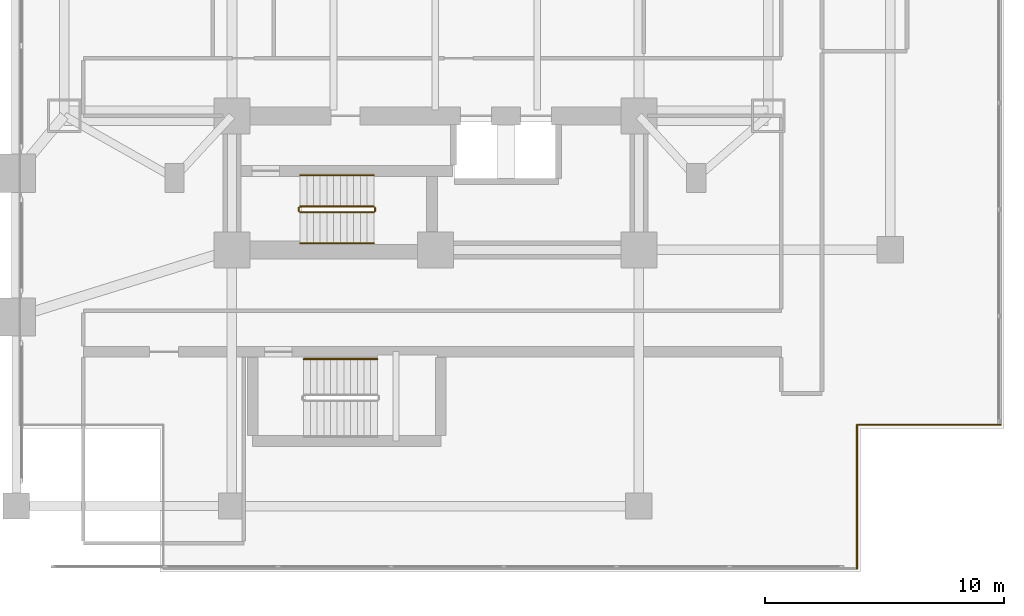
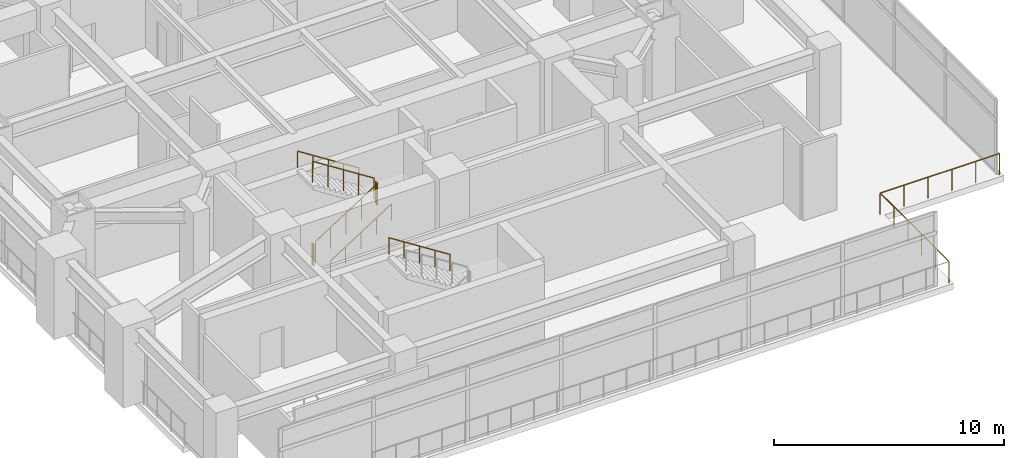
# One storey, part 28 of 31: 9 railings.
"""IFC4 building model written with IfcOpenShell, lengths in metres."""

from ifc_helpers import new_model, si_unit, direction, frame, origin, origin_2d, place, context, subcontext, project, spatial, circle, extrude, material, type_object, element, save


model = new_model("IFC4")

# Units and contexts
model_context = context("Model", 3, precision=1e-05, world=origin(), true_north=direction((0.0, 1.0)))
body_context = subcontext(model_context, "Body", "Model", "MODEL_VIEW")
ifc_project = project(units=[si_unit("LENGTHUNIT", "METRE"), si_unit("AREAUNIT", "SQUARE_METRE"), si_unit("VOLUMEUNIT", "CUBIC_METRE"), si_unit("PLANEANGLEUNIT", "RADIAN"), si_unit("MASSUNIT", "GRAM", prefix="KILO")], contexts=[model_context])

# Site, building, storey
site_placement = place(None, origin())
site = spatial("IfcSite", under=ifc_project, at=site_placement, CompositionType="ELEMENT")
building_placement = place(site_placement, origin())
building = spatial("IfcBuilding", under=site, at=building_placement, Name="Mirazonda Arch Towers", CompositionType="ELEMENT")
storey_placement = place(building_placement, frame((0.0, 0.0, 5.199951171875)))
storey = spatial("IfcBuildingStorey", under=building, at=storey_placement, Name="L01", CompositionType="ELEMENT", Elevation=5.199951171875)

# Railings
ifc_material = material(Name="Architectural Brushed Steel S355", Category="steel")
railing_type_1 = type_object("IfcRailingType", Name="GUARD-EXT-1150", PredefinedType="GUARDRAIL", material=ifc_material)
railing_1_placement = place(storey_placement, frame((94.110107421875, 1.889892578125, 0.0)))
element("IfcRailing", 1, at=railing_1_placement, inside=storey, type_object=railing_type_1, Name="L01 L01 East Podium Perimeter Guard 02", PredefinedType="GUARDRAIL", context=body_context, shape_type="SweptSolid", body=[
    extrude(circle(Radius=0.02392578125, at=origin_2d()), frame((0.0, 0.0, 1.1259765625), z_axis=(0.0, 1.0, 0.0), x_axis=(-1.0, 0.0, 0.0)), (0.0, 0.0, 1.0), 6.0),
    extrude(circle(Radius=0.02099609375, at=origin_2d()), origin(), (0.0, 0.0, 1.0), 1.101806640625),
    extrude(circle(Radius=0.02099609375, at=origin_2d()), frame((0.0, 1.199951171875, 0.0)), (0.0, 0.0, 1.0), 1.101806640625),
    extrude(circle(Radius=0.02099609375, at=origin_2d()), frame((0.0, 2.39990234375, 0.0)), (0.0, 0.0, 1.0), 1.101806640625),
    extrude(circle(Radius=0.02099609375, at=origin_2d()), frame((0.0, 3.60009765625, 0.0)), (0.0, 0.0, 1.0), 1.101806640625),
    extrude(circle(Radius=0.02099609375, at=origin_2d()), frame((0.0, 4.800048828125, 0.0)), (0.0, 0.0, 1.0), 1.101806640625),
    extrude(circle(Radius=0.02099609375, at=origin_2d()), frame((0.0, 6.0, 0.0)), (0.0, 0.0, 1.0), 1.101806640625),
])
railing_2_placement = place(storey_placement, frame((94.110107421875, 7.889892578125, 0.0)))
element("IfcRailing", 2, at=railing_2_placement, inside=storey, type_object=railing_type_1, Name="L01 L01 East Podium Perimeter Guard 03", PredefinedType="GUARDRAIL", context=body_context, shape_type="SweptSolid", body=[
    extrude(circle(Radius=0.02392578125, at=origin_2d()), frame((0.0, 0.0, 1.1259765625), z_axis=(1.0, 0.0, 0.0), x_axis=(0.0, 1.0, 0.0)), (0.0, 0.0, 1.0), 6.0),
    extrude(circle(Radius=0.02099609375, at=origin_2d()), origin(), (0.0, 0.0, 1.0), 1.101806640625),
    extrude(circle(Radius=0.02099609375, at=origin_2d()), frame((1.199951171875, 0.0, 0.0)), (0.0, 0.0, 1.0), 1.101806640625),
    extrude(circle(Radius=0.02099609375, at=origin_2d()), frame((2.39990234375, 0.0, 0.0)), (0.0, 0.0, 1.0), 1.101806640625),
    extrude(circle(Radius=0.02099609375, at=origin_2d()), frame((3.60009765625, 0.0, 0.0)), (0.0, 0.0, 1.0), 1.101806640625),
    extrude(circle(Radius=0.02099609375, at=origin_2d()), frame((4.800048828125, 0.0, 0.0)), (0.0, 0.0, 1.0), 1.101806640625),
    extrude(circle(Radius=0.02099609375, at=origin_2d()), frame((6.0, 0.0, 0.0)), (0.0, 0.0, 1.0), 1.101806640625),
])
railing_type_2 = type_object("IfcRailingType", Name="GUARD-STAIR-1120", PredefinedType="GUARDRAIL", material=ifc_material)
railing_3_placement = place(storey_placement, frame((70.85009765625, 16.77001953125, 0.17919921875)))
element("IfcRailing", 3, at=railing_3_placement, inside=storey, type_object=railing_type_2, Name="L01 ST-T2S stair guard 1", PredefinedType="GUARDRAIL", context=body_context, shape_type="SweptSolid", body=[
    extrude(circle(Radius=0.02392578125, at=origin_2d()), frame((0.0, 0.0, 1.1259765625), z_axis=(0.842289589211, 0.0, 0.539025275759), x_axis=(0.0, 1.0, 0.0)), (0.0, 0.0, 1.0), 3.656494140625),
    extrude(circle(Radius=0.02099609375, at=origin_2d()), origin(), (0.0, 0.0, 1.0), 1.101806640625),
    extrude(circle(Radius=0.02099609375, at=origin_2d()), frame((0.77001953125, 0.0, 0.49267578125)), (0.0, 0.0, 1.0), 1.101806640625),
    extrude(circle(Radius=0.02099609375, at=origin_2d()), frame((1.5400390625, 0.0, 0.9853515625)), (0.0, 0.0, 1.0), 1.101806640625),
    extrude(circle(Radius=0.02099609375, at=origin_2d()), frame((2.309814453125, 0.0, 1.478271484375)), (0.0, 0.0, 1.0), 1.101806640625),
    extrude(circle(Radius=0.02099609375, at=origin_2d()), frame((3.079833984375, 0.0, 1.970947265625)), (0.0, 0.0, 1.0), 1.101806640625),
])
railing_4_placement = place(storey_placement, frame((73.97998046875, 16.820068359375, 2.150146484375)))
element("IfcRailing", 4, at=railing_4_placement, inside=storey, type_object=railing_type_2, Name="L01 ST-T2S stair guard 2", PredefinedType="GUARDRAIL", context=body_context, shape_type="SweptSolid", body=[
    extrude(circle(Radius=0.02392578125, at=origin_2d()), frame((0.0, 0.0, 1.1259765625), z_axis=(0.0, 1.0, 0.0), x_axis=(-1.0, 0.0, 0.0)), (0.0, 0.0, 1.0), 0.139892578125),
    extrude(circle(Radius=0.02099609375, at=origin_2d()), origin(), (0.0, 0.0, 1.0), 1.101806640625),
    extrude(circle(Radius=0.02099609375, at=origin_2d()), frame((0.0, 0.139892578125, 0.0)), (0.0, 0.0, 1.0), 1.101806640625),
])
railing_5_placement = place(storey_placement, frame((73.929931640625, 17.010009765625, 2.3291015625)))
element("IfcRailing", 5, at=railing_5_placement, inside=storey, type_object=railing_type_2, Name="L01 ST-T2S stair guard 3", PredefinedType="GUARDRAIL", context=body_context, shape_type="SweptSolid", body=[
    extrude(circle(Radius=0.02392578125, at=origin_2d()), frame((0.0, 0.0, 1.1259765625), z_axis=(-0.842289589211, 0.0, 0.539025275759), x_axis=(0.0, -1.0, 0.0)), (0.0, 0.0, 1.0), 3.656494140625),
    extrude(circle(Radius=0.02099609375, at=origin_2d()), origin(), (0.0, 0.0, 1.0), 1.101806640625),
    extrude(circle(Radius=0.02099609375, at=origin_2d()), frame((-0.77001953125, 0.0, 0.49267578125)), (0.0, 0.0, 1.0), 1.101806640625),
    extrude(circle(Radius=0.02099609375, at=origin_2d()), frame((-1.5400390625, 0.0, 0.9853515625)), (0.0, 0.0, 1.0), 1.101806640625),
    extrude(circle(Radius=0.02099609375, at=origin_2d()), frame((-2.309814453125, 0.0, 1.478271484375)), (0.0, 0.0, 1.0), 1.101806640625),
    extrude(circle(Radius=0.02099609375, at=origin_2d()), frame((-3.079833984375, 0.0, 1.970947265625)), (0.0, 0.0, 1.0), 1.101806640625),
])
railing_6_placement = place(storey_placement, frame((70.800048828125, 16.820068359375, 0.0)))
element("IfcRailing", 6, at=railing_6_placement, inside=storey, type_object=railing_type_2, Name="L01 ST-T2S stair guard 4", PredefinedType="GUARDRAIL", context=body_context, shape_type="SweptSolid", body=[
    extrude(circle(Radius=0.02392578125, at=origin_2d()), frame((0.0, 0.0, 1.1259765625), z_axis=(0.0, 1.0, 0.0), x_axis=(-1.0, 0.0, 0.0)), (0.0, 0.0, 1.0), 0.139892578125),
    extrude(circle(Radius=0.02099609375, at=origin_2d()), origin(), (0.0, 0.0, 1.0), 1.101806640625),
    extrude(circle(Radius=0.02099609375, at=origin_2d()), frame((0.0, 0.139892578125, 0.0)), (0.0, 0.0, 1.0), 1.101806640625),
])
railing_type_3 = type_object("IfcRailingType", Name="HANDRAIL-915", PredefinedType="HANDRAIL", material=ifc_material)
railing_7_placement = place(storey_placement, frame((70.85009765625, 15.469970703125, 0.17919921875)))
element("IfcRailing", 7, at=railing_7_placement, inside=storey, type_object=railing_type_3, Name="L01 ST-T2S stair handrail 1", PredefinedType="HANDRAIL", context=body_context, shape_type="SweptSolid", body=[
    extrude(circle(Radius=0.02392578125, at=origin_2d()), frame((0.0, 0.0, 0.8759765625), z_axis=(0.842289589211, 0.0, 0.539025275759), x_axis=(0.0, 1.0, 0.0)), (0.0, 0.0, 1.0), 3.656494140625),
    extrude(circle(Radius=0.02099609375, at=origin_2d()), origin(), (0.0, 0.0, 1.0), 0.851806640625),
    extrude(circle(Radius=0.02099609375, at=origin_2d()), frame((0.77001953125, 0.0, 0.49267578125)), (0.0, 0.0, 1.0), 0.851806640625),
    extrude(circle(Radius=0.02099609375, at=origin_2d()), frame((1.5400390625, 0.0, 0.9853515625)), (0.0, 0.0, 1.0), 0.851806640625),
    extrude(circle(Radius=0.02099609375, at=origin_2d()), frame((2.309814453125, 0.0, 1.478271484375)), (0.0, 0.0, 1.0), 0.851806640625),
    extrude(circle(Radius=0.02099609375, at=origin_2d()), frame((3.079833984375, 0.0, 1.970947265625)), (0.0, 0.0, 1.0), 0.851806640625),
])
railing_8_placement = place(storey_placement, frame((73.929931640625, 18.31005859375, 2.3291015625)))
element("IfcRailing", 8, at=railing_8_placement, inside=storey, type_object=railing_type_3, Name="L01 ST-T2S stair handrail 2", PredefinedType="HANDRAIL", context=body_context, shape_type="SweptSolid", body=[
    extrude(circle(Radius=0.02392578125, at=origin_2d()), frame((0.0, 0.0, 0.8759765625), z_axis=(-0.842289589211, 0.0, 0.539025275759), x_axis=(0.0, -1.0, 0.0)), (0.0, 0.0, 1.0), 3.656494140625),
    extrude(circle(Radius=0.02099609375, at=origin_2d()), origin(), (0.0, 0.0, 1.0), 0.851806640625),
    extrude(circle(Radius=0.02099609375, at=origin_2d()), frame((-0.77001953125, 0.0, 0.49267578125)), (0.0, 0.0, 1.0), 0.851806640625),
    extrude(circle(Radius=0.02099609375, at=origin_2d()), frame((-1.5400390625, 0.0, 0.9853515625)), (0.0, 0.0, 1.0), 0.851806640625),
    extrude(circle(Radius=0.02099609375, at=origin_2d()), frame((-2.309814453125, 0.0, 1.478271484375)), (0.0, 0.0, 1.0), 0.851806640625),
    extrude(circle(Radius=0.02099609375, at=origin_2d()), frame((-3.079833984375, 0.0, 1.970947265625)), (0.0, 0.0, 1.0), 0.851806640625),
])
railing_9_placement = place(storey_placement, frame((74.080078125, 10.639892578125, 2.3291015625)))
element("IfcRailing", 9, at=railing_9_placement, inside=storey, type_object=railing_type_3, Name="L01 ST-POD2 stair handrail 2", PredefinedType="HANDRAIL", context=body_context, shape_type="SweptSolid", body=[
    extrude(circle(Radius=0.02392578125, at=origin_2d()), frame((0.0, 0.0, 0.8759765625), z_axis=(-0.842308987159, 0.0, 0.53899496301), x_axis=(0.0, -1.0, 0.0)), (0.0, 0.0, 1.0), 3.65673828125),
    extrude(circle(Radius=0.02099609375, at=origin_2d()), origin(), (0.0, 0.0, 1.0), 0.851806640625),
    extrude(circle(Radius=0.02099609375, at=origin_2d()), frame((-0.77001953125, 0.0, 0.49267578125)), (0.0, 0.0, 1.0), 0.851806640625),
    extrude(circle(Radius=0.02099609375, at=origin_2d()), frame((-1.5400390625, 0.0, 0.9853515625)), (0.0, 0.0, 1.0), 0.851806640625),
    extrude(circle(Radius=0.02099609375, at=origin_2d()), frame((-2.31005859375, 0.0, 1.478271484375)), (0.0, 0.0, 1.0), 0.851806640625),
    extrude(circle(Radius=0.02099609375, at=origin_2d()), frame((-3.080078125, 0.0, 1.970947265625)), (0.0, 0.0, 1.0), 0.851806640625),
])

save(model, "model.ifc")
